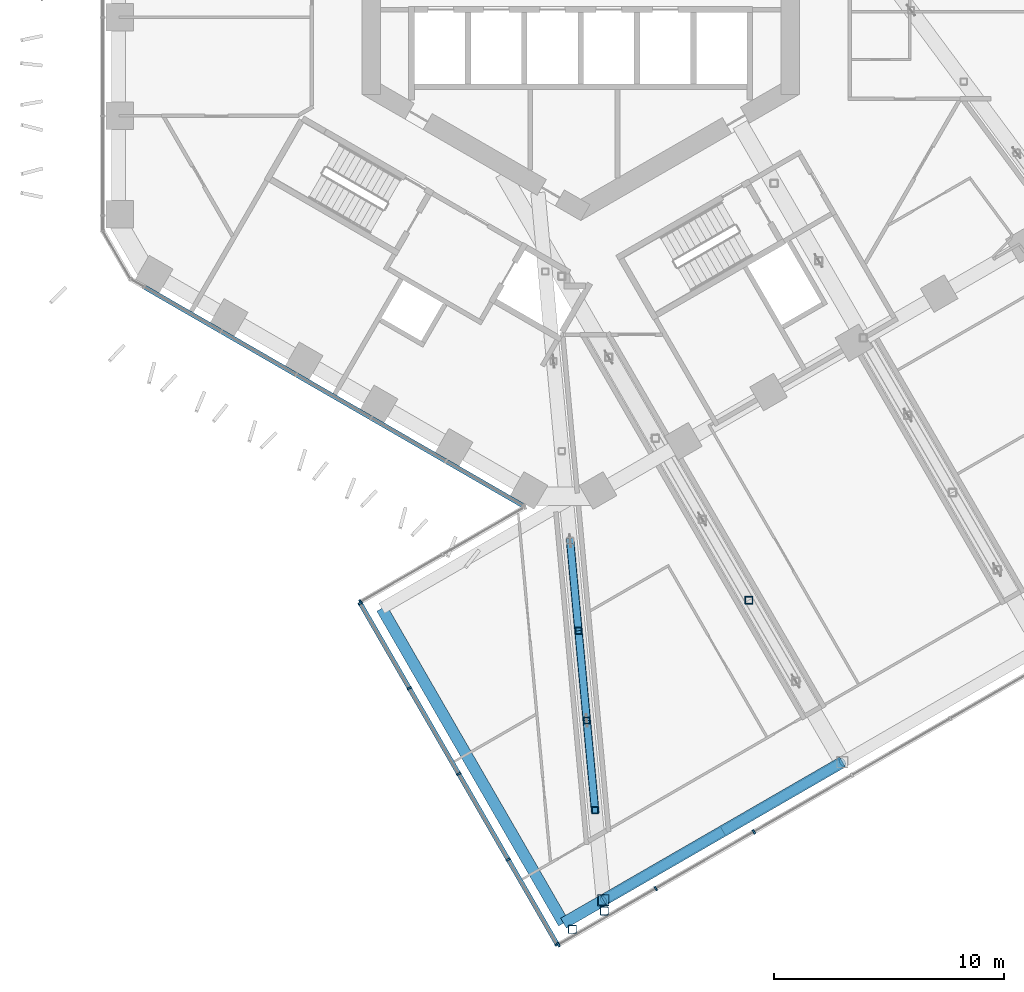
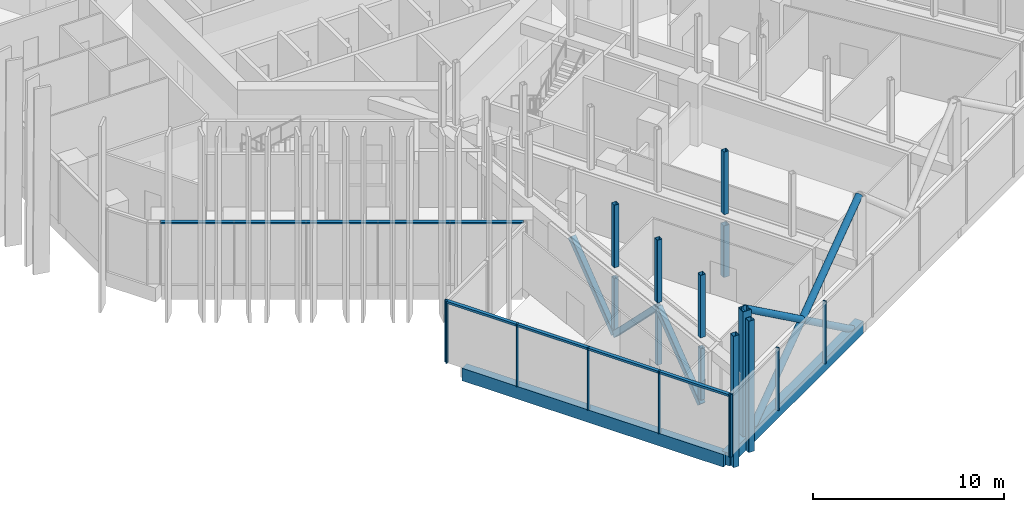
# One storey, part 2 of 29: 27 members, 3 beams, 4 elements without a shape of their own.
"""IFC4 building model written with IfcOpenShell, lengths in metres."""

from ifc_helpers import new_model, si_unit, direction, frame, origin, origin_2d, place, context, subcontext, project, spatial, rectangle, hollow_rectangle, hollow_circle, extrude, material, layer, layer_set, material_profile, profile_set, type_object, element, aggregate, save


model = new_model("IFC4")

# Units and contexts
model_context = context("Model", 3, precision=1e-05, world=origin(), true_north=direction((0.0, 1.0)))
body_context = subcontext(model_context, "Body", "Model", "MODEL_VIEW")
ifc_project = project(units=[si_unit("LENGTHUNIT", "METRE"), si_unit("AREAUNIT", "SQUARE_METRE"), si_unit("VOLUMEUNIT", "CUBIC_METRE"), si_unit("PLANEANGLEUNIT", "RADIAN"), si_unit("MASSUNIT", "GRAM", prefix="KILO")], contexts=[model_context])

# Site, building, storey
site_placement = place(None, origin())
site = spatial("IfcSite", under=ifc_project, at=site_placement, CompositionType="ELEMENT")
building_placement = place(site_placement, origin())
building = spatial("IfcBuilding", under=site, at=building_placement, Name="Ayvan Gate Tower", CompositionType="ELEMENT")
storey_placement = place(building_placement, frame((0.0, 0.0, 66.300048828125)))
storey = spatial("IfcBuildingStorey", under=building, at=storey_placement, Name="L17", CompositionType="ELEMENT", Elevation=66.300048828125)

# Members
ifc_material_1 = material(Name="Steel S460NH", Category="steel")
ifc_material_profile_1 = material_profile(ifc_material_1, hollow_rectangle(XDim=0.35009765625, YDim=0.35009765625, WallThickness=0.01611328125, InnerFilletRadius=0.01611328125, OuterFilletRadius=0.02392578125, at=origin_2d()), Name="RHS 350x350x16")
ifc_profile_set_1 = profile_set([ifc_material_profile_1], Name="Steel S460NH")
member_type_1 = type_object("IfcMemberType", Name="Sky bar corner post B1 RHS 350x350x16", PredefinedType="POST", material=ifc_profile_set_1)
for number, where, z_axis, x_axis, name in (
    (1, (1.027099609375, -40.97900390625, -1.199951171875), (0.0, 0.0, 1.0), (1.0, 0.0, 0.0), "SBX1-C-P-3"),
    (2, (-0.358642578125, -41.779052734375, -1.199951171875), (0.0, 0.0, 1.0), (1.0, 0.0, 0.0), "SBX1-C-P-4"),
):
    element("IfcMember", number, at=place(storey_placement, frame(where, z_axis=z_axis, x_axis=x_axis)), inside=storey, type_object=member_type_1, Name=name, PredefinedType="POST", context=body_context, shape_type="SweptSolid", body=[
        extrude(hollow_rectangle(XDim=0.35009765625, YDim=0.35009765625, WallThickness=0.01611328125, InnerFilletRadius=0.01611328125, OuterFilletRadius=0.02392578125, at=origin_2d()), origin(), (0.0, 0.0, 1.0), 8.39990234375),
    ])

# Beams
ifc_material_2 = material(Name="Concrete C40/50", Category="concrete")
ifc_material_profile_2 = material_profile(ifc_material_2, rectangle(XDim=0.5, YDim=0.800048828125, at=origin_2d()), Name="RC 500x800")
ifc_profile_set_2 = profile_set([ifc_material_profile_2], Name="Concrete C40/50")
beam_type = type_object("IfcBeamType", Name="Sky bar edge beam RC 500x800 C40/50", PredefinedType="BEAM", material=ifc_profile_set_2)
beam_1_placement = place(storey_placement, frame((11.377685546875, -34.506591796875, -0.800048828125), z_axis=(-0.866026010844, -0.49999894854, 0.0), x_axis=(0.49999894854, -0.866026010844, 0.0)))
element("IfcBeam", 3, at=beam_1_placement, inside=storey, type_object=beam_type, Name="EB-B1-L17-6", PredefinedType="BEAM", context=body_context, shape_type="SweptSolid", body=[
    extrude(rectangle(XDim=0.5, YDim=0.800048828125, at=origin_2d()), origin(), (0.0, 0.0, 1.0), 12.0),
])
beam_2_placement = place(storey_placement, frame((0.9853515625, -40.506591796875, -0.800048828125), z_axis=(-0.866041268327, -0.499972520799, 0.0), x_axis=(0.499972520799, -0.866041268327, 0.0)))
element("IfcBeam", 4, at=beam_2_placement, inside=storey, type_object=beam_type, Name="EB-B1-L17-7", PredefinedType="BEAM", context=body_context, shape_type="SweptSolid", body=[
    extrude(rectangle(XDim=0.5, YDim=0.800048828125, at=origin_2d()), origin(), (0.0, 0.0, 1.0), 2.0),
])
beam_3_placement = place(storey_placement, frame((-0.746826171875, -41.506591796875, -0.800048828125), z_axis=(-0.499997992926, 0.866026562566, 0.0), x_axis=(-0.866026562566, -0.499997992926, 0.0)))
element("IfcBeam", 5, at=beam_3_placement, inside=storey, type_object=beam_type, Name="EB-B1-L17-8", PredefinedType="BEAM", context=body_context, shape_type="SweptSolid", body=[
    extrude(rectangle(XDim=0.5, YDim=0.800048828125, at=origin_2d()), origin(), (0.0, 0.0, 1.0), 15.7998046875),
])

# Members
ifc_material_profile_3 = material_profile(ifc_material_1, hollow_rectangle(XDim=0.35009765625, YDim=0.35009765625, WallThickness=0.02001953125, InnerFilletRadius=0.02001953125, OuterFilletRadius=0.030029296875, at=origin_2d()), Name="RHS 350x350x20")
ifc_profile_set_3 = profile_set([ifc_material_profile_3], Name="Steel S460NH")
member_type_2 = type_object("IfcMemberType", Name="Sky bar end truss brace B1 RHS 350x350x20", PredefinedType="BRACE", material=ifc_profile_set_3)
for number, where, z_axis, x_axis, name in (
    (6, (-0.458984375, -24.894287109375, 3.25), (0.064474775144, -0.696929161753, -0.714235778205), (0.995747977381, 0.092119300591, 0.0), "SBT1-1-D-5"),
    (7, (-0.097900390625, -28.79736328125, -0.75), (0.064474775144, -0.696929161753, 0.714235778205), (0.995747977381, 0.092119300591, 0.0), "SBT1-1-D-6"),
    (8, (0.26318359375, -32.700439453125, 3.25), (0.064474775144, -0.696929161753, -0.714235778205), (0.995747977381, 0.092119300591, 0.0), "SBT1-1-D-7"),
):
    element("IfcMember", number, at=place(storey_placement, frame(where, z_axis=z_axis, x_axis=x_axis)), inside=storey, type_object=member_type_2, Name=name, PredefinedType="BRACE", context=body_context, shape_type="SweptSolid", body=[
        extrude(hollow_rectangle(XDim=0.35009765625, YDim=0.35009765625, WallThickness=0.02001953125, InnerFilletRadius=0.02001953125, OuterFilletRadius=0.030029296875, at=origin_2d()), origin(), (0.0, 0.0, 1.0), 5.600341796875),
    ])
ifc_material_profile_4 = material_profile(ifc_material_1, hollow_rectangle(XDim=0.280029296875, YDim=0.280029296875, WallThickness=0.01611328125, InnerFilletRadius=0.01611328125, OuterFilletRadius=0.02392578125, at=origin_2d()), Name="RHS 280x280x16")
ifc_profile_set_4 = profile_set([ifc_material_profile_4], Name="Steel S460NH")
member_type_3 = type_object("IfcMemberType", Name="Sky bar end truss post B1 RHS 280x280x16", PredefinedType="POST", material=ifc_profile_set_4)
for number, where, z_axis, x_axis, name in (
    (9, (-0.097900390625, -28.79736328125, -0.400146484375), (0.0, 0.0, 1.0), (1.0, 0.0, 0.0), "SBT1-1-P-5"),
    (10, (0.26318359375, -32.700439453125, -0.400146484375), (0.0, 0.0, 1.0), (1.0, 0.0, 0.0), "SBT1-1-P-6"),
    (11, (0.624267578125, -36.603515625, -0.400146484375), (0.0, 0.0, 1.0), (1.0, 0.0, 0.0), "SBT1-1-P-7"),
):
    element("IfcMember", number, at=place(storey_placement, frame(where, z_axis=z_axis, x_axis=x_axis)), inside=storey, type_object=member_type_3, Name=name, PredefinedType="POST", context=body_context, shape_type="SweptSolid", body=[
        extrude(hollow_rectangle(XDim=0.280029296875, YDim=0.280029296875, WallThickness=0.01611328125, InnerFilletRadius=0.01611328125, OuterFilletRadius=0.02392578125, at=origin_2d()), origin(), (0.0, 0.0, 1.0), 3.300048828125),
    ])
ifc_material_3 = material(Name="Steel S460ML", Category="steel")
ifc_material_profile_5 = material_profile(ifc_material_3, hollow_rectangle(XDim=0.5, YDim=0.5, WallThickness=0.030029296875, at=origin_2d()), Name="BOX 500x500x30")
ifc_profile_set_5 = profile_set([ifc_material_profile_5], Name="Steel S460ML")
member_type_4 = type_object("IfcMemberType", Name="Sky bar end wall post BOX 500x500x30", PredefinedType="POST", material=ifc_profile_set_5)
member_1_placement = place(storey_placement, frame((0.9853515625, -40.506591796875, -1.10009765625), z_axis=(0.0, 0.0, 1.0), x_axis=(1.0, 0.0, 0.0)))
element("IfcMember", 12, at=member_1_placement, inside=storey, type_object=member_type_4, Name="EXO-B1-P1", PredefinedType="POST", context=body_context, shape_type="SweptSolid", body=[
    extrude(hollow_rectangle(XDim=0.5, YDim=0.5, WallThickness=0.030029296875, at=origin_2d()), origin(), (0.0, 0.0, 1.0), 8.699951171875),
])
ifc_material_profile_6 = material_profile(ifc_material_1, hollow_circle(Radius=0.203125, WallThickness=0.01611328125, at=origin_2d()), Name="CHS 406.4x16")
ifc_profile_set_6 = profile_set([ifc_material_profile_6], Name="Steel S460NH")
member_type_5 = type_object("IfcMemberType", Name="Sky bar exoskeleton brace CHS 406.4x16", PredefinedType="BRACE", material=ifc_profile_set_6)
for number, where, z_axis, x_axis, name in (
    (13, (0.9853515625, -40.506591796875, -1.10009765625), (0.701145566391, 0.404805446464, 0.586964603058), (-0.49999894854, 0.866026010844, 0.0), "EXO-B1-D1A"),
    (14, (11.377685546875, -34.506591796875, -1.10009765625), (-0.701145566391, -0.404805446464, 0.586964603058), (0.49999894854, -0.866026010844, 0.0), "EXO-B1-D1B"),
):
    element("IfcMember", number, at=place(storey_placement, frame(where, z_axis=z_axis, x_axis=x_axis)), inside=storey, type_object=member_type_5, Name=name, PredefinedType="BRACE", context=body_context, shape_type="SweptSolid", body=[
        extrude(hollow_circle(Radius=0.203125, WallThickness=0.01611328125, at=origin_2d()), origin(), (0.0, 0.0, 1.0), 14.822021484375),
    ])
ifc_material_profile_7 = material_profile(ifc_material_1, hollow_rectangle(XDim=0.35009765625, YDim=0.35009765625, WallThickness=0.01611328125, InnerFilletRadius=0.01611328125, OuterFilletRadius=0.02392578125, at=origin_2d()), Name="RHS 350x350x16")
ifc_profile_set_7 = profile_set([ifc_material_profile_7], Name="Steel S460NH")
member_type_6 = type_object("IfcMemberType", Name="Sky bar truss post B1 RHS 350x350x16", PredefinedType="POST", material=ifc_profile_set_7)
member_2_placement = place(storey_placement, frame((7.312744140625, -27.466064453125, -0.400146484375), z_axis=(0.0, 0.0, 1.0), x_axis=(1.0, 0.0, 0.0)))
element("IfcMember", 15, at=member_2_placement, inside=storey, type_object=member_type_6, Name="SBT1-2-P-5", PredefinedType="POST", context=body_context, shape_type="SweptSolid", body=[
    extrude(hollow_rectangle(XDim=0.35009765625, YDim=0.35009765625, WallThickness=0.01611328125, InnerFilletRadius=0.01611328125, OuterFilletRadius=0.02392578125, at=origin_2d()), origin(), (0.0, 0.0, 1.0), 3.300048828125),
])
ifc_material_profile_8 = material_profile(ifc_material_1, hollow_rectangle(XDim=0.300048828125, YDim=0.300048828125, WallThickness=0.01611328125, InnerFilletRadius=0.01611328125, OuterFilletRadius=0.02392578125, at=origin_2d()), Name="RHS 300x300x16")
ifc_profile_set_8 = profile_set([ifc_material_profile_8], Name="Steel S460NH")
member_type_7 = type_object("IfcMemberType", Name="Sky bar upper post B1 RHS 300x300x16", PredefinedType="POST", material=ifc_profile_set_8)
for number, where, z_axis, x_axis, name in (
    (16, (-0.097900390625, -28.79736328125, 3.599853515625), (0.0, 0.0, 1.0), (1.0, 0.0, 0.0), "SBT1-1-U-5"),
    (17, (0.26318359375, -32.700439453125, 3.599853515625), (0.0, 0.0, 1.0), (1.0, 0.0, 0.0), "SBT1-1-U-6"),
    (18, (0.624267578125, -36.603515625, 3.599853515625), (0.0, 0.0, 1.0), (1.0, 0.0, 0.0), "SBT1-1-U-7"),
    (19, (7.312744140625, -27.466064453125, 3.599853515625), (0.0, 0.0, 1.0), (1.0, 0.0, 0.0), "SBT1-2-U-5"),
):
    element("IfcMember", number, at=place(storey_placement, frame(where, z_axis=z_axis, x_axis=x_axis)), inside=storey, type_object=member_type_7, Name=name, PredefinedType="POST", context=body_context, shape_type="SweptSolid", body=[
        extrude(hollow_rectangle(XDim=0.300048828125, YDim=0.300048828125, WallThickness=0.01611328125, InnerFilletRadius=0.01611328125, OuterFilletRadius=0.02392578125, at=origin_2d()), origin(), (0.0, 0.0, 1.0), 4.0),
    ])

# Curtain wall, member
ifc_material_4 = material(Name="Bronze anodised aluminium", Category="aluminium")
ifc_layer_1 = layer(ifc_material_4, 0.199951171875)
ifc_layer_set_1 = layer_set([ifc_layer_1], Name="Bronze anodised aluminium")
curtain_wall_type_1 = type_object("IfcCurtainWallType", Name="Stick curtain wall CW-1", PredefinedType="NOTDEFINED", material=ifc_layer_set_1)
curtain_wall_1_placement = place(storey_placement, origin())
curtain_wall_1 = element("IfcCurtainWall", 20, at=curtain_wall_1_placement, inside=storey, type_object=curtain_wall_type_1, Name="Stick curtain wall CW-1 L17", PredefinedType="NOTDEFINED")
ifc_material_profile_9 = material_profile(ifc_material_4, rectangle(XDim=0.199951171875, YDim=0.1201171875, at=origin_2d()), Name="Stick curtain wall CW-1 transom 200 x 120")
ifc_profile_set_9 = profile_set([ifc_material_profile_9], Name="Bronze anodised aluminium")
member_type_8 = type_object("IfcMemberType", Name="Stick curtain wall CW-1 transom 200 x 120", PredefinedType="USERDEFINED", material=ifc_profile_set_9)
member_3_placement = place(storey_placement, frame((-18.976318359375, -13.852294921875, 3.93994140625), z_axis=(0.866025446635, -0.499999925781, 0.0), x_axis=(0.499999925781, 0.866025446635, 0.0)))
member_3 = element("IfcMember", 21, at=member_3_placement, type_object=member_type_8, Name="CW-1 transom 1", ObjectType="TRANSOM", PredefinedType="USERDEFINED", context=body_context, shape_type="SweptSolid", body=[
    extrude(rectangle(XDim=0.199951171875, YDim=0.1201171875, at=origin_2d()), origin(), (0.0, 0.0, 1.0), 19.015625),
])
aggregate(curtain_wall_1, [member_3])

# Curtain wall, members
ifc_layer_2 = layer(ifc_material_4, 0.199951171875)
ifc_layer_set_2 = layer_set([ifc_layer_2], Name="Bronze anodised aluminium")
curtain_wall_type_2 = type_object("IfcCurtainWallType", Name="Stick curtain wall CW-4", PredefinedType="NOTDEFINED", material=ifc_layer_set_2)
curtain_wall_2_placement = place(storey_placement, origin())
curtain_wall_2 = element("IfcCurtainWall", 22, at=curtain_wall_2_placement, inside=storey, type_object=curtain_wall_type_2, Name="Stick curtain wall CW-4 L17", PredefinedType="NOTDEFINED")
ifc_material_profile_10 = material_profile(ifc_material_4, rectangle(XDim=0.199951171875, YDim=0.080078125, at=origin_2d()), Name="Stick curtain wall CW-4 mullion 200 x 80")
ifc_profile_set_10 = profile_set([ifc_material_profile_10], Name="Bronze anodised aluminium")
member_type_9 = type_object("IfcMemberType", Name="Stick curtain wall CW-4 mullion 200 x 80", PredefinedType="MULLION", material=ifc_profile_set_10)
member_4_placement = place(storey_placement, frame((-9.5830078125, -27.601806640625, 0.0), z_axis=(0.0, 0.0, 1.0), x_axis=(-0.866025403784, -0.5, 0.0)))
member_4 = element("IfcMember", 23, at=member_4_placement, type_object=member_type_9, Name="CW-4 mullion 1", PredefinedType="MULLION", context=body_context, shape_type="SweptSolid", body=[
    extrude(rectangle(XDim=0.199951171875, YDim=0.080078125, at=origin_2d()), origin(), (0.0, 0.0, 1.0), 4.0),
])
member_5_placement = place(storey_placement, frame((-7.452880859375, -31.291015625, 0.0), z_axis=(0.0, 0.0, 1.0), x_axis=(-0.866025403784, -0.5, 0.0)))
member_5 = element("IfcMember", 24, at=member_5_placement, type_object=member_type_9, Name="CW-4 mullion 2", PredefinedType="MULLION", context=body_context, shape_type="SweptSolid", body=[
    extrude(rectangle(XDim=0.199951171875, YDim=0.080078125, at=origin_2d()), origin(), (0.0, 0.0, 1.0), 4.0),
])
member_6_placement = place(storey_placement, frame((-5.302978515625, -35.01513671875, 0.0), z_axis=(0.0, 0.0, 1.0), x_axis=(-0.866025403784, -0.5, 0.0)))
member_6 = element("IfcMember", 25, at=member_6_placement, type_object=member_type_9, Name="CW-4 mullion 3", PredefinedType="MULLION", context=body_context, shape_type="SweptSolid", body=[
    extrude(rectangle(XDim=0.199951171875, YDim=0.080078125, at=origin_2d()), origin(), (0.0, 0.0, 1.0), 4.0),
])
member_7_placement = place(storey_placement, frame((-3.15283203125, -38.739013671875, 0.0), z_axis=(0.0, 0.0, 1.0), x_axis=(-0.866025403784, -0.5, 0.0)))
member_7 = element("IfcMember", 26, at=member_7_placement, type_object=member_type_9, Name="CW-4 mullion 4", PredefinedType="MULLION", context=body_context, shape_type="SweptSolid", body=[
    extrude(rectangle(XDim=0.199951171875, YDim=0.080078125, at=origin_2d()), origin(), (0.0, 0.0, 1.0), 4.0),
])
member_8_placement = place(storey_placement, frame((-1.02294921875, -42.42822265625, 0.0), z_axis=(0.0, 0.0, 1.0), x_axis=(-0.866025403784, -0.5, 0.0)))
member_8 = element("IfcMember", 27, at=member_8_placement, type_object=member_type_9, Name="CW-4 mullion 5", PredefinedType="MULLION", context=body_context, shape_type="SweptSolid", body=[
    extrude(rectangle(XDim=0.199951171875, YDim=0.080078125, at=origin_2d()), origin(), (0.0, 0.0, 1.0), 4.0),
])

curtain_wall_3_placement = place(storey_placement, origin())
curtain_wall_3 = element("IfcCurtainWall", 28, at=curtain_wall_3_placement, inside=storey, type_object=curtain_wall_type_2, Name="Stick curtain wall CW-4 L17", PredefinedType="NOTDEFINED")
member_9_placement = place(storey_placement, frame((-0.96826171875, -42.44287109375, 0.0), z_axis=(0.0, 0.0, 1.0), x_axis=(0.5, -0.866025403784, 0.0)))
member_9 = element("IfcMember", 29, at=member_9_placement, type_object=member_type_9, Name="CW-4 mullion 1", PredefinedType="MULLION", context=body_context, shape_type="SweptSolid", body=[
    extrude(rectangle(XDim=0.199951171875, YDim=0.080078125, at=origin_2d()), origin(), (0.0, 0.0, 1.0), 4.0),
])
member_10_placement = place(storey_placement, frame((3.26220703125, -40.000244140625, 0.0), z_axis=(0.0, 0.0, 1.0), x_axis=(0.5, -0.866025403784, 0.0)))
member_10 = element("IfcMember", 30, at=member_10_placement, type_object=member_type_9, Name="CW-4 mullion 2", PredefinedType="MULLION", context=body_context, shape_type="SweptSolid", body=[
    extrude(rectangle(XDim=0.199951171875, YDim=0.080078125, at=origin_2d()), origin(), (0.0, 0.0, 1.0), 4.0),
])
member_11_placement = place(storey_placement, frame((7.52734375, -37.537841796875, 0.0), z_axis=(0.0, 0.0, 1.0), x_axis=(0.5, -0.866025403784, 0.0)))
member_11 = element("IfcMember", 31, at=member_11_placement, type_object=member_type_9, Name="CW-4 mullion 3", PredefinedType="MULLION", context=body_context, shape_type="SweptSolid", body=[
    extrude(rectangle(XDim=0.199951171875, YDim=0.080078125, at=origin_2d()), origin(), (0.0, 0.0, 1.0), 4.0),
])
aggregate(curtain_wall_3, [member_9, member_10, member_11])

# Curtain wall, member
curtain_wall_4_placement = place(storey_placement, origin())
curtain_wall_4 = element("IfcCurtainWall", 32, at=curtain_wall_4_placement, inside=storey, type_object=curtain_wall_type_2, Name="Stick curtain wall CW-4 L17", PredefinedType="NOTDEFINED")
member_12_placement = place(storey_placement, frame((-9.568359375, -27.547119140625, 0.0), z_axis=(0.0, 0.0, 1.0), x_axis=(-0.5, 0.866025403784, 0.0)))
member_12 = element("IfcMember", 33, at=member_12_placement, type_object=member_type_9, Name="CW-4 mullion 3", PredefinedType="MULLION", context=body_context, shape_type="SweptSolid", body=[
    extrude(rectangle(XDim=0.199951171875, YDim=0.080078125, at=origin_2d()), origin(), (0.0, 0.0, 1.0), 4.0),
])
aggregate(curtain_wall_4, [member_12])

# Member
ifc_material_profile_11 = material_profile(ifc_material_4, rectangle(XDim=0.199951171875, YDim=0.139892578125, at=origin_2d()), Name="Stick curtain wall CW-4 transom 200 x 140")
ifc_profile_set_11 = profile_set([ifc_material_profile_11], Name="Bronze anodised aluminium")
member_type_10 = type_object("IfcMemberType", Name="Stick curtain wall CW-4 transom 200 x 140", PredefinedType="USERDEFINED", material=ifc_profile_set_11)
member_13_placement = place(storey_placement, frame((-9.5830078125, -27.601806640625, 3.929931640625), z_axis=(0.500001021432, -0.866024814059, 0.0), x_axis=(0.866024814059, 0.500001021432, 0.0)))
member_13 = element("IfcMember", 34, at=member_13_placement, type_object=member_type_10, Name="CW-4 transom 1", ObjectType="TRANSOM", PredefinedType="USERDEFINED", context=body_context, shape_type="SweptSolid", body=[
    extrude(rectangle(XDim=0.199951171875, YDim=0.139892578125, at=origin_2d()), origin(), (0.0, 0.0, 1.0), 17.1201171875),
])

aggregate(curtain_wall_2, [member_4, member_5, member_6, member_7, member_8, member_13])

save(model, "model.ifc")
